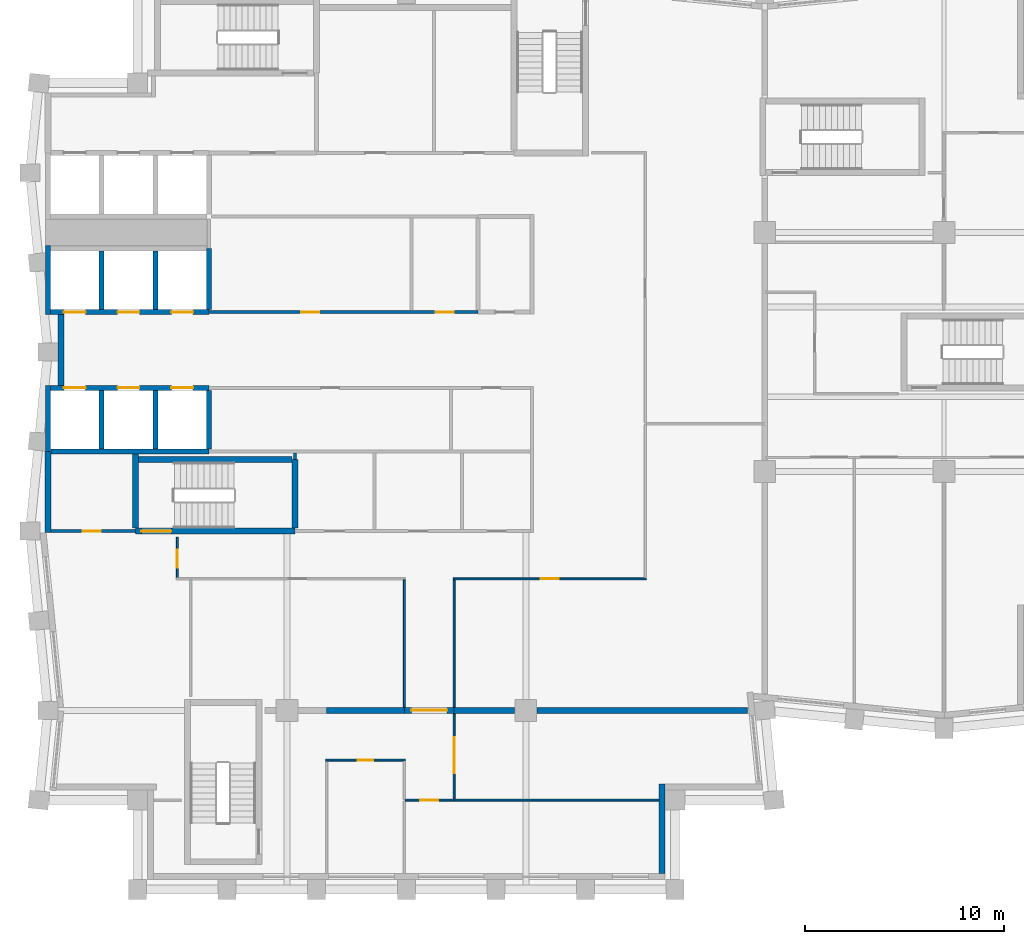
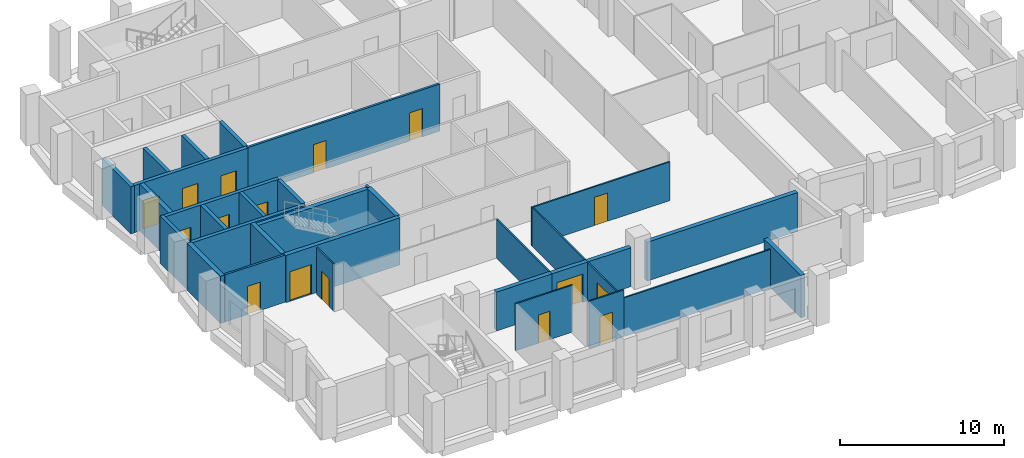
# One storey, part 3 of 8: 33 walls, 16 doors, 16 openings.
"""IFC4 building model written with IfcOpenShell, lengths in metres."""

import ifcopenshell
import ifcopenshell.guid

model = None  # the IFC model being written
_history = None  # IfcOwnerHistory: only IFC2X3 demands one
_inside = {}  # id of a spatial element -> (the spatial element, [elements in it])
_under = {}  # id of a project, library or spatial element -> (it, [spatial elements below it])
_declared = {}  # id of a project -> (the project, [libraries it declares])
_typed = {}  # id of a type object -> (the type object, [elements of that type])
_made_of = {}  # id of a material, layer set ... -> (it, [elements and type objects made of it])


def new_model(schema):
    """Start an empty IFC model of exactly this schema.

    Asked for "IFC4X3", IfcOpenShell would pick the latest addendum, in which some entities
    have other attributes; the version numbers below select the first issue.
    IFC2X3 requires an IfcOwnerHistory on every rooted entity: one is made here for all.
    """
    global model, _history
    if schema == "IFC4X3":
        model = ifcopenshell.file(schema_version=(4, 3, 0, 0))
    else:
        model = ifcopenshell.file(schema=schema)
    _inside.clear()
    _under.clear()
    _declared.clear()
    _typed.clear()
    _made_of.clear()
    _history = None
    if model.schema == "IFC2X3":
        org = make("IfcOrganization", Name="unknown")
        user = make(
            "IfcPersonAndOrganization",
            ThePerson=make("IfcPerson", FamilyName="unknown"),
            TheOrganization=org,
        )
        app = make(
            "IfcApplication",
            ApplicationDeveloper=org,
            Version="unknown",
            ApplicationFullName="unknown",
            ApplicationIdentifier="unknown",
        )
        _history = make(
            "IfcOwnerHistory",
            OwningUser=user,
            OwningApplication=app,
            ChangeAction="ADDED",
            CreationDate=0,
        )
    return model


def make(cls, **values):
    """One entity of the class cls with the attributes given. An attribute that is None is left unset."""
    return model.create_entity(
        cls, **{name: value for name, value in values.items() if value is not None}
    )


def rooted(cls, **values):
    """An entity with a GlobalId (a new one), such as an element, a storey or a relation."""
    return make(cls, GlobalId=ifcopenshell.guid.new(), OwnerHistory=_history, **values)


def si_unit(unit_type, name, prefix=None):
    """IfcSIUnit, for example si_unit("LENGTHUNIT", "METRE", prefix="MILLI")."""
    return make("IfcSIUnit", UnitType=unit_type, Prefix=prefix, Name=name)


def assignment(units):
    """IfcUnitAssignment: the units of a project."""
    return None if units is None else make("IfcUnitAssignment", Units=units)


def point(xyz):
    """IfcCartesianPoint."""
    return None if xyz is None else make("IfcCartesianPoint", Coordinates=xyz)


def direction(xyz):
    """IfcDirection."""
    return None if xyz is None else make("IfcDirection", DirectionRatios=xyz)


def frame(location, z_axis=None, x_axis=None):
    """IfcAxis2Placement3D, a coordinate frame: its origin and axes. An axis left out is left unset."""
    return make(
        "IfcAxis2Placement3D",
        Location=point(location),
        Axis=direction(z_axis),
        RefDirection=direction(x_axis),
    )


def frame_2d(location, x_axis=None):
    """IfcAxis2Placement2D, a coordinate frame in the plane: its origin and x axis."""
    return make(
        "IfcAxis2Placement2D", Location=point(location), RefDirection=direction(x_axis)
    )


def origin():
    """The frame at (0, 0, 0) with its axes left unset."""
    return frame((0.0, 0.0, 0.0))


def place(relative_to, where):
    """IfcLocalPlacement: puts the frame where relative to a parent placement (None: the world)."""
    return make(
        "IfcLocalPlacement", PlacementRelTo=relative_to, RelativePlacement=where
    )


def context(
    kind, dimensions, precision=None, world=None, true_north=None, identifier=None
):
    """IfcGeometricRepresentationContext, for example the 3D "Model" context."""
    return make(
        "IfcGeometricRepresentationContext",
        ContextIdentifier=identifier,
        ContextType=kind,
        CoordinateSpaceDimension=dimensions,
        Precision=precision,
        WorldCoordinateSystem=world,
        TrueNorth=true_north,
    )


def subcontext(parent, identifier, kind, view, scale=None):
    """IfcGeometricRepresentationSubContext, for example "Body" below "Model"."""
    return make(
        "IfcGeometricRepresentationSubContext",
        ContextIdentifier=identifier,
        ContextType=kind,
        ParentContext=parent,
        TargetScale=scale,
        TargetView=view,
    )


def project(units=None, contexts=None):
    """IfcProject with its units and contexts."""
    return rooted(
        "IfcProject",
        Name="project",
        RepresentationContexts=contexts,
        UnitsInContext=assignment(units),
    )


def spatial(cls, under=None, at=None, **own):
    """A site, building, storey or space (cls), placed at a placement, below another one or the project."""
    s = rooted(cls, ObjectPlacement=at, **own)
    if under is not None:
        _under.setdefault(under.id(), (under, []))[1].append(s)
    return s


def profile(cls, at=None, kind="AREA", **sizes):
    """A parametric profile (cls). Its sizes go by their IFC names, for example OverallWidth=200.0."""
    return make(cls, ProfileType=kind, Position=at, **sizes)


def rectangle(**sizes):
    """IfcRectangleProfileDef."""
    return profile("IfcRectangleProfileDef", **sizes)


def extrude(swept, where, along, depth):
    """IfcExtrudedAreaSolid: the profile swept, set in the frame where, extruded along a direction by depth."""
    return make(
        "IfcExtrudedAreaSolid",
        SweptArea=swept,
        Position=where,
        ExtrudedDirection=direction(along),
        Depth=depth,
    )


def shape(context_of_items, identifier, shape_type, items):
    """IfcShapeRepresentation: the items that make up one representation, for example the "Body"."""
    return make(
        "IfcShapeRepresentation",
        ContextOfItems=context_of_items,
        RepresentationIdentifier=identifier,
        RepresentationType=shape_type,
        Items=items,
    )


def material(Name=None, Category=None):
    """IfcMaterial."""
    return make("IfcMaterial", Name=Name, Category=Category)


def layer(
    of_material, thickness, ventilated=None, Name=None, Category=None, Priority=None
):
    """IfcMaterialLayer: one layer of a wall or slab, of a material (None: an air gap)."""
    return make(
        "IfcMaterialLayer",
        Material=of_material,
        LayerThickness=thickness,
        IsVentilated=ventilated,
        Name=Name,
        Category=Category,
        Priority=Priority,
    )


def layer_set(layers, Name=None):
    """IfcMaterialLayerSet."""
    return make("IfcMaterialLayerSet", MaterialLayers=layers, LayerSetName=Name)


def made_of(thing, what):
    """Note that an element or type object is made of a material, layer set ...; save() writes the relation."""
    if what is not None:
        _made_of.setdefault(what.id(), (what, []))[1].append(thing)
    return thing


def type_object(cls, material=None, **own):
    """A type object (cls), such as IfcWallType, which elements share."""
    return made_of(rooted(cls, **own), material)


def element(
    cls,
    number,
    at=None,
    inside=None,
    cuts=None,
    type_object=None,
    material=None,
    context=None,
    identifier="Body",
    shape_type=None,
    held_by="IfcProductDefinitionShape",
    body=None,
    shapes=None,
    **own,
):
    """One element of the class cls, such as IfcWall. Its Tag is "e" and its number.

    at: its placement. inside: the storey or other place that contains it. cuts: it is an
    opening in that element (IfcRelVoidsElement). A single representation is given by context,
    identifier, shape_type and body (its items); several are given by shapes. held_by: the class
    of the entity that holds the representations. save() writes the other relations.
    """
    e = rooted(cls, Tag="e%d" % number, ObjectPlacement=at, **own)
    if body is not None:
        shapes = [shape(context, identifier, shape_type, body)]
    if shapes is not None:
        e.Representation = make(held_by, Representations=shapes)
    if inside is not None:
        _inside.setdefault(inside.id(), (inside, []))[1].append(e)
    if cuts is not None:
        rooted(
            "IfcRelVoidsElement", RelatingBuildingElement=cuts, RelatedOpeningElement=e
        )
    if type_object is not None:
        _typed.setdefault(type_object.id(), (type_object, []))[1].append(e)
    return made_of(e, material)


def fill(opening, filler):
    """IfcRelFillsElement: the door or window that sits in an opening."""
    return rooted(
        "IfcRelFillsElement",
        RelatingOpeningElement=opening,
        RelatedBuildingElement=filler,
    )


def aggregate(whole, parts):
    """IfcRelAggregates: a whole, such as a stair, and the parts it consists of."""
    return rooted("IfcRelAggregates", RelatingObject=whole, RelatedObjects=parts)


def save(model, path):
    """Write the relations noted so far, then the file.

    IfcRelAggregates (storeys below a building ...), IfcRelContainedInSpatialStructure (elements
    in a storey), IfcRelDefinesByType, IfcRelAssociatesMaterial and IfcRelDeclares: one each for
    every whole, place, type object, material and project.
    """
    for whole, parts in _under.values():
        aggregate(whole, parts)
    for where, things in _inside.values():
        rooted(
            "IfcRelContainedInSpatialStructure",
            RelatedElements=things,
            RelatingStructure=where,
        )
    for kind, things in _typed.values():
        rooted("IfcRelDefinesByType", RelatedObjects=things, RelatingType=kind)
    for what, things in _made_of.values():
        rooted("IfcRelAssociatesMaterial", RelatedObjects=things, RelatingMaterial=what)
    for by, libraries in _declared.values():
        rooted("IfcRelDeclares", RelatingContext=by, RelatedDefinitions=libraries)
    model.write(path)


model = new_model("IFC4")

# Units and contexts
model_context = context("Model", 3, precision=1e-05, world=origin(), true_north=direction((0.0, 1.0)))
body_context = subcontext(model_context, "Body", "Model", "MODEL_VIEW")
ifc_project = project(units=[si_unit("LENGTHUNIT", "METRE"), si_unit("AREAUNIT", "SQUARE_METRE"), si_unit("VOLUMEUNIT", "CUBIC_METRE"), si_unit("PLANEANGLEUNIT", "RADIAN"), si_unit("MASSUNIT", "GRAM", prefix="KILO")], contexts=[model_context])

# Site, building, storey
site_placement = place(None, origin())
site = spatial("IfcSite", under=ifc_project, at=site_placement, CompositionType="ELEMENT")
building_placement = place(site_placement, origin())
building = spatial("IfcBuilding", under=site, at=building_placement, Name="Brondeck Convention Tower", CompositionType="ELEMENT")
storey_placement = place(building_placement, frame((0.0, 0.0, 214.0)))
storey = spatial("IfcBuildingStorey", under=building, at=storey_placement, Name="L52", CompositionType="ELEMENT", Elevation=214.0)

# Wall
ifc_material_1 = material(Name="Concrete compartment wall C30/37", Category="concrete")
ifc_layer_1 = layer(ifc_material_1, 0.300048828125)
ifc_layer_set_1 = layer_set([ifc_layer_1], Name="Compartment wall 300")
wall_type_1 = type_object("IfcWallType", Name="Compartment wall 300", PredefinedType="PARTITIONING", material=ifc_layer_set_1)
wall_1_placement = place(storey_placement, frame((14.0, 27.0, 0.0), z_axis=(0.0, 0.0, 1.0), x_axis=(1.0, 0.0, 0.0)))
element("IfcWall", 1, at=wall_1_placement, inside=storey, type_object=wall_type_1, Name="FLR-L52-W015", PredefinedType="PARTITIONING", context=body_context, shape_type="SweptSolid", body=[
    extrude(rectangle(XDim=3.89990234375, YDim=0.300048828125, at=frame_2d((1.949951171875, 0.0))), origin(), (0.0, 0.0, 1.0), 2.8798828125),
])

# Wall, opening, door
wall_2_placement = place(storey_placement, frame((20.39990234375, 27.0, 0.0), z_axis=(0.0, 0.0, 1.0), x_axis=(-1.0, 0.0, 0.0)))
wall_2 = element("IfcWall", 2, at=wall_2_placement, inside=storey, type_object=wall_type_1, Name="FLR-L52-W016", PredefinedType="PARTITIONING", context=body_context, shape_type="SweptSolid", body=[
    extrude(rectangle(XDim=2.5, YDim=0.300048828125, at=frame_2d((1.25, 0.0))), origin(), (0.0, 0.0, 1.0), 2.8798828125),
])
opening_1_placement = place(wall_2_placement, frame((0.35009765625, 0.0, 0.0)))
opening_1 = element("IfcOpeningElement", 3, at=opening_1_placement, cuts=wall_2, Name="Opening OF-L-015", PredefinedType="OPENING", context=body_context, shape_type="SweptSolid", body=[
    extrude(rectangle(XDim=1.800048828125, YDim=2.10009765625, at=frame_2d((0.89990234375, 1.050048828125))), frame((0.0, 0.159912109375, 0.0), z_axis=(0.0, -1.0, 0.0), x_axis=(1.0, 0.0, 0.0)), (0.0, 0.0, 1.0), 0.320068359375),
])
ifc_material_2 = material(Name="Steel fire door pair", Category="steel")
door_type_1 = type_object("IfcDoorType", Name="Fire door pair 1800", OperationType="DOUBLE_DOOR_SINGLE_SWING", PredefinedType="DOOR", material=ifc_material_2)
door_1_placement = place(opening_1_placement, origin())
door_1 = element("IfcDoor", 4, at=door_1_placement, inside=storey, type_object=door_type_1, Name="Door OF-L-015", OperationType="DOUBLE_DOOR_SINGLE_SWING", OverallHeight=2.10009765625, OverallWidth=1.800048828125, PredefinedType="DOOR", context=body_context, shape_type="SweptSolid", body=[
    extrude(rectangle(XDim=1.800048828125, YDim=2.10009765625, at=frame_2d((0.89990234375, 1.050048828125))), frame((0.0, 0.02490234375, 0.0), z_axis=(0.0, -1.0, 0.0), x_axis=(1.0, 0.0, 0.0)), (0.0, 0.0, 1.0), 0.050048828125),
])
fill(opening_1, door_1)

# Walls
wall_3_placement = place(storey_placement, frame((20.39990234375, 27.0, 0.0), z_axis=(0.0, 0.0, 1.0), x_axis=(1.0, 0.0, 0.0)))
element("IfcWall", 5, at=wall_3_placement, inside=storey, type_object=wall_type_1, Name="FLR-L52-W017", PredefinedType="PARTITIONING", context=body_context, shape_type="SweptSolid", body=[
    extrude(rectangle(XDim=3.045166015625, YDim=0.300048828125, at=frame_2d((1.5224609375, 0.0))), origin(), (0.0, 0.0, 1.0), 2.8798828125),
])
wall_4_placement = place(storey_placement, frame((24.554931640625, 27.0, 0.0), z_axis=(0.0, 0.0, 1.0), x_axis=(1.0, 0.0, 0.0)))
element("IfcWall", 6, at=wall_4_placement, inside=storey, type_object=wall_type_1, Name="FLR-L52-W018", PredefinedType="PARTITIONING", context=body_context, shape_type="SweptSolid", body=[
    extrude(rectangle(XDim=10.591064453125, YDim=0.300048828125, at=frame_2d((5.29541015625, 0.0))), origin(), (0.0, 0.0, 1.0), 2.8798828125),
])
ifc_material_3 = material(Name="Concrete C50/60", Category="concrete")
ifc_layer_2 = layer(ifc_material_3, 0.300048828125)
ifc_layer_set_2 = layer_set([ifc_layer_2], Name="Core outer wall 300 Concrete C50/60")
wall_type_2 = type_object("IfcWallType", Name="Core outer wall 300 Concrete C50/60", PredefinedType="SHEAR", material=ifc_layer_set_2)
wall_5_placement = place(storey_placement, frame((0.0, 35.925048828125, 0.0), z_axis=(0.0, 0.0, 1.0), x_axis=(0.0, 1.0, 0.0)))
element("IfcWall", 7, at=wall_5_placement, inside=storey, type_object=wall_type_2, Name="L52 core wall", PredefinedType="SHEAR", context=body_context, shape_type="SweptSolid", body=[
    extrude(rectangle(XDim=4.074951171875, YDim=0.300048828125, at=frame_2d((2.03759765625, 0.0))), origin(), (0.0, 0.0, 1.0), 3.5),
])
wall_6_placement = place(storey_placement, frame((0.64990234375, 43.324951171875, 0.0), z_axis=(0.0, 0.0, 1.0), x_axis=(0.0, 1.0, 0.0)))
element("IfcWall", 8, at=wall_6_placement, inside=storey, type_object=wall_type_2, Name="L52 core wall", PredefinedType="SHEAR", context=body_context, shape_type="SweptSolid", body=[
    extrude(rectangle(XDim=3.550048828125, YDim=0.300048828125, at=frame_2d((1.77490234375, 0.0))), origin(), (0.0, 0.0, 1.0), 3.5),
])

# Wall, opening, door
ifc_material_4 = material(Name="Fire-rated gypsum board partition")
ifc_layer_3 = layer(ifc_material_4, 0.14990234375)
ifc_layer_set_3 = layer_set([ifc_layer_3], Name="Core partition 150 EI 60")
wall_type_3 = type_object("IfcWallType", Name="Core partition 150 EI 60", PredefinedType="PARTITIONING", material=ifc_layer_set_3)
wall_7_placement = place(storey_placement, frame((0.14990234375, 36.0, 0.0), z_axis=(0.0, 0.0, 1.0), x_axis=(1.0, 0.0, 0.0)))
wall_7 = element("IfcWall", 9, at=wall_7_placement, inside=storey, type_object=wall_type_3, Name="L52 core wall", PredefinedType="PARTITIONING", context=body_context, shape_type="SweptSolid", body=[
    extrude(rectangle(XDim=4.25, YDim=0.14990234375, at=frame_2d((2.125, 0.0))), origin(), (0.0, 0.0, 1.0), 3.5),
])
opening_2_placement = place(wall_7_placement, frame((1.60009765625, 0.0, 0.0)))
opening_2 = element("IfcOpeningElement", 10, at=opening_2_placement, cuts=wall_7, Name="Opening C29-06", PredefinedType="OPENING", context=body_context, shape_type="SweptSolid", body=[
    extrude(rectangle(XDim=0.89990234375, YDim=2.10009765625, at=frame_2d((0.449951171875, 1.050048828125))), frame((0.0, 0.0849609375, 0.0), z_axis=(0.0, -1.0, 0.0), x_axis=(1.0, 0.0, 0.0)), (0.0, 0.0, 1.0), 0.169921875),
])
ifc_material_5 = material(Name="Steel fire door", Category="steel")
door_type_2 = type_object("IfcDoorType", Name="Room door 900x2100 EI 60", OperationType="NOTDEFINED", PredefinedType="DOOR", material=ifc_material_5)
door_2_placement = place(opening_2_placement, origin())
door_2 = element("IfcDoor", 11, at=door_2_placement, inside=storey, type_object=door_type_2, Name="L52 Room door FRW-1", OperationType="SINGLE_SWING_LEFT", OverallHeight=2.10009765625, OverallWidth=0.89990234375, PredefinedType="DOOR", context=body_context, shape_type="SweptSolid", body=[
    extrude(rectangle(XDim=0.89990234375, YDim=2.10009765625, at=frame_2d((0.449951171875, 1.050048828125))), frame((0.0, 0.02490234375, 0.0), z_axis=(0.0, -1.0, 0.0), x_axis=(1.0, 0.0, 0.0)), (0.0, 0.0, 1.0), 0.050048828125),
])
fill(opening_2, door_2)

# Wall, openings, doors
wall_8_placement = place(storey_placement, frame((8.10009765625, 47.0, 0.0), z_axis=(0.0, 0.0, 1.0), x_axis=(1.0, 0.0, 0.0)))
wall_8 = element("IfcWall", 12, at=wall_8_placement, inside=storey, type_object=wall_type_3, Name="L52 core wall", PredefinedType="PARTITIONING", context=body_context, shape_type="SweptSolid", body=[
    extrude(rectangle(XDim=13.5, YDim=0.14990234375, at=frame_2d((6.75, 0.0))), origin(), (0.0, 0.0, 1.0), 3.5),
])
opening_3_placement = place(wall_8_placement, frame((4.625, 0.0, 0.0)))
opening_3 = element("IfcOpeningElement", 13, at=opening_3_placement, cuts=wall_8, Name="Opening C29-07", PredefinedType="OPENING", context=body_context, shape_type="SweptSolid", body=[
    extrude(rectangle(XDim=0.89990234375, YDim=2.10009765625, at=frame_2d((0.449951171875, 1.050048828125))), frame((0.0, 0.0849609375, 0.0), z_axis=(0.0, -1.0, 0.0), x_axis=(1.0, 0.0, 0.0)), (0.0, 0.0, 1.0), 0.169921875),
])
opening_4_placement = place(wall_8_placement, frame((11.375, 0.0, 0.0)))
opening_4 = element("IfcOpeningElement", 14, at=opening_4_placement, cuts=wall_8, Name="Opening C29-08", PredefinedType="OPENING", context=body_context, shape_type="SweptSolid", body=[
    extrude(rectangle(XDim=0.89990234375, YDim=2.10009765625, at=frame_2d((0.449951171875, 1.050048828125))), frame((0.0, 0.0849609375, 0.0), z_axis=(0.0, -1.0, 0.0), x_axis=(1.0, 0.0, 0.0)), (0.0, 0.0, 1.0), 0.169921875),
])
door_3_placement = place(opening_3_placement, origin())
door_3 = element("IfcDoor", 15, at=door_3_placement, inside=storey, type_object=door_type_2, Name="L52 Room door FZ-N-8.1-1", OperationType="SINGLE_SWING_LEFT", OverallHeight=2.10009765625, OverallWidth=0.89990234375, PredefinedType="DOOR", context=body_context, shape_type="SweptSolid", body=[
    extrude(rectangle(XDim=0.89990234375, YDim=2.10009765625, at=frame_2d((0.449951171875, 1.050048828125))), frame((0.0, 0.02490234375, 0.0), z_axis=(0.0, -1.0, 0.0), x_axis=(1.0, 0.0, 0.0)), (0.0, 0.0, 1.0), 0.050048828125),
])
fill(opening_3, door_3)
door_4_placement = place(opening_4_placement, origin())
door_4 = element("IfcDoor", 16, at=door_4_placement, inside=storey, type_object=door_type_2, Name="L52 Room door FZ-N-8.1-2", OperationType="SINGLE_SWING_RIGHT", OverallHeight=2.10009765625, OverallWidth=0.89990234375, PredefinedType="DOOR", context=body_context, shape_type="SweptSolid", body=[
    extrude(rectangle(XDim=0.89990234375, YDim=2.10009765625, at=frame_2d((0.449951171875, 1.050048828125))), frame((0.0, 0.02490234375, 0.0), z_axis=(0.0, -1.0, 0.0), x_axis=(1.0, 0.0, 0.0)), (0.0, 0.0, 1.0), 0.050048828125),
])
fill(opening_4, door_4)

# Walls
wall_9_placement = place(storey_placement, frame((12.39990234375, 39.60009765625, 0.0), z_axis=(0.0, 0.0, 1.0), x_axis=(0.0, 1.0, 0.0)))
element("IfcWall", 17, at=wall_9_placement, inside=storey, type_object=wall_type_3, Name="L52 core wall", PredefinedType="PARTITIONING", context=body_context, shape_type="SweptSolid", body=[
    extrude(rectangle(XDim=0.324951171875, YDim=0.14990234375, at=frame_2d((0.16259765625, 0.0))), origin(), (0.0, 0.0, 1.0), 3.5),
])
ifc_material_6 = material(Name="Precast concrete C50/60 bronze finish", Category="concrete")
ifc_layer_4 = layer(ifc_material_6, 0.070068359375, Name="Bronze precast facing")
ifc_material_7 = material(Name="Mineral wool")
ifc_layer_5 = layer(ifc_material_7, 0.159912109375, Name="Insulation")
ifc_material_8 = material(Name="Concrete C35/45", Category="concrete")
ifc_layer_6 = layer(ifc_material_8, 0.070068359375, Name="Backing")
ifc_layer_set_4 = layer_set([ifc_layer_4, ifc_layer_5, ifc_layer_6], Name="External infill wall, precast concrete C50/60 bronze facing")
wall_type_4 = type_object("IfcWallType", Name="External infill wall, precast concrete C50/60 bronze facing", PredefinedType="SOLIDWALL", material=ifc_layer_set_4)
wall_10_placement = place(storey_placement, frame((30.85009765625, 23.300048828125, 0.0), z_axis=(0.0, 0.0, 1.0), x_axis=(0.0, -1.0, 0.0)))
element("IfcWall", 18, at=wall_10_placement, inside=storey, type_object=wall_type_4, Name="ENV-EW-L52-P2-NC-SEB18-01", PredefinedType="SOLIDWALL", context=body_context, shape_type="SweptSolid", body=[
    extrude(rectangle(XDim=4.5, YDim=0.300048828125, at=frame_2d((2.25, 0.0))), origin(), (0.0, 0.0, 1.0), 3.14990234375),
])
ifc_layer_7 = layer(ifc_material_3, 0.25)
ifc_layer_set_5 = layer_set([ifc_layer_7], Name="Lift shaft wall 250 Concrete C50/60")
wall_type_5 = type_object("IfcWallType", Name="Lift shaft wall 250 Concrete C50/60", PredefinedType="SHEAR", material=ifc_layer_set_5)
wall_11_placement = place(storey_placement, frame((0.14990234375, 40.0, 0.0), z_axis=(0.0, 0.0, 1.0), x_axis=(1.0, 0.0, 0.0)))
element("IfcWall", 19, at=wall_11_placement, inside=storey, type_object=wall_type_5, Name="L52 core wall", PredefinedType="SHEAR", context=body_context, shape_type="SweptSolid", body=[
    extrude(rectangle(XDim=7.9501953125, YDim=0.25, at=frame_2d((3.97509765625, 0.0))), origin(), (0.0, 0.0, 1.0), 3.5),
])

# Wall, openings, doors
wall_12_placement = place(storey_placement, frame((0.125, 43.199951171875, 0.0), z_axis=(0.0, 0.0, 1.0), x_axis=(1.0, 0.0, 0.0)))
wall_12 = element("IfcWall", 20, at=wall_12_placement, inside=storey, type_object=wall_type_5, Name="L52 core wall", PredefinedType="SHEAR", context=body_context, shape_type="SweptSolid", body=[
    extrude(rectangle(XDim=7.97509765625, YDim=0.25, at=frame_2d((3.987548828125, 0.0))), origin(), (0.0, 0.0, 1.0), 3.5),
])
opening_5_placement = place(wall_12_placement, frame((0.675048828125, 0.0, 0.0)))
opening_5 = element("IfcOpeningElement", 21, at=opening_5_placement, cuts=wall_12, Name="Opening C29-22", PredefinedType="OPENING", context=body_context, shape_type="SweptSolid", body=[
    extrude(rectangle(XDim=1.10009765625, YDim=2.10009765625, at=frame_2d((0.550048828125, 1.050048828125))), frame((0.0, 0.135009765625, 0.0), z_axis=(0.0, -1.0, 0.0), x_axis=(1.0, 0.0, 0.0)), (0.0, 0.0, 1.0), 0.27001953125),
])
opening_6_placement = place(wall_12_placement, frame((3.375, 0.0, 0.0)))
opening_6 = element("IfcOpeningElement", 22, at=opening_6_placement, cuts=wall_12, Name="Opening C29-23", PredefinedType="OPENING", context=body_context, shape_type="SweptSolid", body=[
    extrude(rectangle(XDim=1.10009765625, YDim=2.10009765625, at=frame_2d((0.550048828125, 1.050048828125))), frame((0.0, 0.135009765625, 0.0), z_axis=(0.0, -1.0, 0.0), x_axis=(1.0, 0.0, 0.0)), (0.0, 0.0, 1.0), 0.27001953125),
])
opening_7_placement = place(wall_12_placement, frame((6.074951171875, 0.0, 0.0)))
opening_7 = element("IfcOpeningElement", 23, at=opening_7_placement, cuts=wall_12, Name="Opening C29-24", PredefinedType="OPENING", context=body_context, shape_type="SweptSolid", body=[
    extrude(rectangle(XDim=1.10009765625, YDim=2.10009765625, at=frame_2d((0.550048828125, 1.050048828125))), frame((0.0, 0.135009765625, 0.0), z_axis=(0.0, -1.0, 0.0), x_axis=(1.0, 0.0, 0.0)), (0.0, 0.0, 1.0), 0.27001953125),
])
ifc_material_9 = material(Name="Stainless steel lift door", Category="steel")
door_type_3 = type_object("IfcDoorType", Name="Lift landing door 1100x2100 EI 180", OperationType="DOUBLE_DOOR_SLIDING", PredefinedType="DOOR", material=ifc_material_9)
door_5_placement = place(opening_5_placement, origin())
door_5 = element("IfcDoor", 24, at=door_5_placement, inside=storey, type_object=door_type_3, Name="L52 Lift landing door HR1", OperationType="DOUBLE_DOOR_SLIDING", OverallHeight=2.10009765625, OverallWidth=1.10009765625, PredefinedType="DOOR", context=body_context, shape_type="SweptSolid", body=[
    extrude(rectangle(XDim=1.10009765625, YDim=2.10009765625, at=frame_2d((0.550048828125, 1.050048828125))), frame((0.0, 0.02490234375, 0.0), z_axis=(0.0, -1.0, 0.0), x_axis=(1.0, 0.0, 0.0)), (0.0, 0.0, 1.0), 0.050048828125),
])
fill(opening_5, door_5)
door_6_placement = place(opening_6_placement, origin())
door_6 = element("IfcDoor", 25, at=door_6_placement, inside=storey, type_object=door_type_3, Name="L52 Lift landing door HR2", OperationType="DOUBLE_DOOR_SLIDING", OverallHeight=2.10009765625, OverallWidth=1.10009765625, PredefinedType="DOOR", context=body_context, shape_type="SweptSolid", body=[
    extrude(rectangle(XDim=1.10009765625, YDim=2.10009765625, at=frame_2d((0.550048828125, 1.050048828125))), frame((0.0, 0.02490234375, 0.0), z_axis=(0.0, -1.0, 0.0), x_axis=(1.0, 0.0, 0.0)), (0.0, 0.0, 1.0), 0.050048828125),
])
fill(opening_6, door_6)
door_7_placement = place(opening_7_placement, origin())
door_7 = element("IfcDoor", 26, at=door_7_placement, inside=storey, type_object=door_type_3, Name="L52 Lift landing door HR3", OperationType="DOUBLE_DOOR_SLIDING", OverallHeight=2.10009765625, OverallWidth=1.10009765625, PredefinedType="DOOR", context=body_context, shape_type="SweptSolid", body=[
    extrude(rectangle(XDim=1.10009765625, YDim=2.10009765625, at=frame_2d((0.550048828125, 1.050048828125))), frame((0.0, 0.02490234375, 0.0), z_axis=(0.0, -1.0, 0.0), x_axis=(1.0, 0.0, 0.0)), (0.0, 0.0, 1.0), 0.050048828125),
])
fill(opening_7, door_7)

wall_13_placement = place(storey_placement, frame((0.125, 47.0, 0.0), z_axis=(0.0, 0.0, 1.0), x_axis=(1.0, 0.0, 0.0)))
wall_13 = element("IfcWall", 27, at=wall_13_placement, inside=storey, type_object=wall_type_5, Name="L52 core wall", PredefinedType="SHEAR", context=body_context, shape_type="SweptSolid", body=[
    extrude(rectangle(XDim=7.97509765625, YDim=0.25, at=frame_2d((3.987548828125, 0.0))), origin(), (0.0, 0.0, 1.0), 3.5),
])
opening_8_placement = place(wall_13_placement, frame((0.675048828125, 0.0, 0.0)))
opening_8 = element("IfcOpeningElement", 28, at=opening_8_placement, cuts=wall_13, Name="Opening C29-25", PredefinedType="OPENING", context=body_context, shape_type="SweptSolid", body=[
    extrude(rectangle(XDim=1.10009765625, YDim=2.10009765625, at=frame_2d((0.550048828125, 1.050048828125))), frame((0.0, 0.135009765625, 0.0), z_axis=(0.0, -1.0, 0.0), x_axis=(1.0, 0.0, 0.0)), (0.0, 0.0, 1.0), 0.27001953125),
])
opening_9_placement = place(wall_13_placement, frame((3.375, 0.0, 0.0)))
opening_9 = element("IfcOpeningElement", 29, at=opening_9_placement, cuts=wall_13, Name="Opening C29-26", PredefinedType="OPENING", context=body_context, shape_type="SweptSolid", body=[
    extrude(rectangle(XDim=1.10009765625, YDim=2.10009765625, at=frame_2d((0.550048828125, 1.050048828125))), frame((0.0, 0.135009765625, 0.0), z_axis=(0.0, -1.0, 0.0), x_axis=(1.0, 0.0, 0.0)), (0.0, 0.0, 1.0), 0.27001953125),
])
opening_10_placement = place(wall_13_placement, frame((6.074951171875, 0.0, 0.0)))
opening_10 = element("IfcOpeningElement", 30, at=opening_10_placement, cuts=wall_13, Name="Opening C29-27", PredefinedType="OPENING", context=body_context, shape_type="SweptSolid", body=[
    extrude(rectangle(XDim=1.10009765625, YDim=2.10009765625, at=frame_2d((0.550048828125, 1.050048828125))), frame((0.0, 0.135009765625, 0.0), z_axis=(0.0, -1.0, 0.0), x_axis=(1.0, 0.0, 0.0)), (0.0, 0.0, 1.0), 0.27001953125),
])
door_8_placement = place(opening_8_placement, origin())
door_8 = element("IfcDoor", 31, at=door_8_placement, inside=storey, type_object=door_type_3, Name="L52 Lift landing door HR4", OperationType="DOUBLE_DOOR_SLIDING", OverallHeight=2.10009765625, OverallWidth=1.10009765625, PredefinedType="DOOR", context=body_context, shape_type="SweptSolid", body=[
    extrude(rectangle(XDim=1.10009765625, YDim=2.10009765625, at=frame_2d((0.550048828125, 1.050048828125))), frame((0.0, 0.02490234375, 0.0), z_axis=(0.0, -1.0, 0.0), x_axis=(1.0, 0.0, 0.0)), (0.0, 0.0, 1.0), 0.050048828125),
])
fill(opening_8, door_8)
door_9_placement = place(opening_9_placement, origin())
door_9 = element("IfcDoor", 32, at=door_9_placement, inside=storey, type_object=door_type_3, Name="L52 Lift landing door HR5", OperationType="DOUBLE_DOOR_SLIDING", OverallHeight=2.10009765625, OverallWidth=1.10009765625, PredefinedType="DOOR", context=body_context, shape_type="SweptSolid", body=[
    extrude(rectangle(XDim=1.10009765625, YDim=2.10009765625, at=frame_2d((0.550048828125, 1.050048828125))), frame((0.0, 0.02490234375, 0.0), z_axis=(0.0, -1.0, 0.0), x_axis=(1.0, 0.0, 0.0)), (0.0, 0.0, 1.0), 0.050048828125),
])
fill(opening_9, door_9)
door_10_placement = place(opening_10_placement, origin())
door_10 = element("IfcDoor", 33, at=door_10_placement, inside=storey, type_object=door_type_3, Name="L52 Lift landing door HR6", OperationType="DOUBLE_DOOR_SLIDING", OverallHeight=2.10009765625, OverallWidth=1.10009765625, PredefinedType="DOOR", context=body_context, shape_type="SweptSolid", body=[
    extrude(rectangle(XDim=1.10009765625, YDim=2.10009765625, at=frame_2d((0.550048828125, 1.050048828125))), frame((0.0, 0.02490234375, 0.0), z_axis=(0.0, -1.0, 0.0), x_axis=(1.0, 0.0, 0.0)), (0.0, 0.0, 1.0), 0.050048828125),
])
fill(opening_10, door_10)

# Walls
wall_14_placement = place(storey_placement, frame((0.0, 40.0, 0.0), z_axis=(0.0, 0.0, 1.0), x_axis=(0.0, 1.0, 0.0)))
element("IfcWall", 34, at=wall_14_placement, inside=storey, type_object=wall_type_5, Name="L52 core wall", PredefinedType="SHEAR", context=body_context, shape_type="SweptSolid", body=[
    extrude(rectangle(XDim=3.324951171875, YDim=0.25, at=frame_2d((1.66259765625, 0.0))), origin(), (0.0, 0.0, 1.0), 3.5),
])
wall_15_placement = place(storey_placement, frame((0.0, 46.875, 0.0), z_axis=(0.0, 0.0, 1.0), x_axis=(0.0, 1.0, 0.0)))
element("IfcWall", 35, at=wall_15_placement, inside=storey, type_object=wall_type_5, Name="L52 core wall", PredefinedType="SHEAR", context=body_context, shape_type="SweptSolid", body=[
    extrude(rectangle(XDim=3.47509765625, YDim=0.25, at=frame_2d((1.737548828125, 0.0))), origin(), (0.0, 0.0, 1.0), 3.5),
])
for number, where, z_axis, x_axis, name in (
    (36, (2.699951171875, 40.125, 0.0), (0.0, 0.0, 1.0), (0.0, 1.0, 0.0), "L52 core wall"),
    (37, (2.699951171875, 47.125, 0.0), (0.0, 0.0, 1.0), (0.0, 1.0, 0.0), "L52 core wall"),
    (38, (5.39990234375, 40.125, 0.0), (0.0, 0.0, 1.0), (0.0, 1.0, 0.0), "L52 core wall"),
    (39, (5.39990234375, 47.125, 0.0), (0.0, 0.0, 1.0), (0.0, 1.0, 0.0), "L52 core wall"),
    (40, (8.10009765625, 40.125, 0.0), (0.0, 0.0, 1.0), (0.0, 1.0, 0.0), "L52 core wall"),
):
    element("IfcWall", number, at=place(storey_placement, frame(where, z_axis=z_axis, x_axis=x_axis)), inside=storey, type_object=wall_type_5, Name=name, PredefinedType="SHEAR", context=body_context, shape_type="SweptSolid", body=[
        extrude(rectangle(XDim=2.949951171875, YDim=0.25, at=frame_2d((1.47509765625, 0.0))), origin(), (0.0, 0.0, 1.0), 3.5),
    ])
wall_16_placement = place(storey_placement, frame((8.10009765625, 47.125, 0.0), z_axis=(0.0, 0.0, 1.0), x_axis=(0.0, 1.0, 0.0)))
element("IfcWall", 41, at=wall_16_placement, inside=storey, type_object=wall_type_5, Name="L52 core wall", PredefinedType="SHEAR", context=body_context, shape_type="SweptSolid", body=[
    extrude(rectangle(XDim=3.074951171875, YDim=0.25, at=frame_2d((1.53759765625, 0.0))), origin(), (0.0, 0.0, 1.0), 3.5),
])

# Wall, opening, door
ifc_material_10 = material(Name="Gypsum board partition on steel studs", Category="steel")
ifc_layer_8 = layer(ifc_material_10, 0.10009765625)
ifc_layer_set_6 = layer_set([ifc_layer_8], Name="Room partition 100")
wall_type_6 = type_object("IfcWallType", Name="Room partition 100", PredefinedType="PARTITIONING", material=ifc_layer_set_6)
wall_17_placement = place(storey_placement, frame((20.39990234375, 22.5, 0.0), z_axis=(0.0, 0.0, 1.0), x_axis=(-1.0, 0.0, 0.0)))
wall_17 = element("IfcWall", 42, at=wall_17_placement, inside=storey, type_object=wall_type_6, Name="FLR-L52-W003", PredefinedType="PARTITIONING", context=body_context, shape_type="SweptSolid", body=[
    extrude(rectangle(XDim=2.449951171875, YDim=0.10009765625, at=frame_2d((1.22509765625, 0.0))), origin(), (0.0, 0.0, 1.0), 3.47998046875),
])
opening_11_placement = place(wall_17_placement, frame((0.800048828125, 0.0, 0.0)))
opening_11 = element("IfcOpeningElement", 43, at=opening_11_placement, cuts=wall_17, Name="Opening OF-L-009", PredefinedType="OPENING", context=body_context, shape_type="SweptSolid", body=[
    extrude(rectangle(XDim=0.89990234375, YDim=2.10009765625, at=frame_2d((0.449951171875, 1.050048828125))), frame((0.0, 0.06005859375, 0.0), z_axis=(0.0, -1.0, 0.0), x_axis=(1.0, 0.0, 0.0)), (0.0, 0.0, 1.0), 0.1201171875),
])
ifc_material_11 = material(Name="Solid timber door leaf", Category="wood")
door_type_4 = type_object("IfcDoorType", Name="Single door 900", OperationType="NOTDEFINED", PredefinedType="DOOR", material=ifc_material_11)
door_11_placement = place(opening_11_placement, origin())
door_11 = element("IfcDoor", 44, at=door_11_placement, inside=storey, type_object=door_type_4, Name="Door OF-L-009", OperationType="SINGLE_SWING_LEFT", OverallHeight=2.10009765625, OverallWidth=0.89990234375, PredefinedType="DOOR", context=body_context, shape_type="SweptSolid", body=[
    extrude(rectangle(XDim=0.89990234375, YDim=2.10009765625, at=frame_2d((0.449951171875, 1.050048828125))), frame((0.0, 0.02490234375, 0.0), z_axis=(0.0, -1.0, 0.0), x_axis=(1.0, 0.0, 0.0)), (0.0, 0.0, 1.0), 0.050048828125),
])
fill(opening_11, door_11)

# Wall
wall_18_placement = place(storey_placement, frame((20.39990234375, 22.5, 0.0), z_axis=(0.0, 0.0, 1.0), x_axis=(1.0, 0.0, 0.0)))
element("IfcWall", 45, at=wall_18_placement, inside=storey, type_object=wall_type_6, Name="FLR-L52-W004", PredefinedType="PARTITIONING", context=body_context, shape_type="SweptSolid", body=[
    extrude(rectangle(XDim=10.280029296875, YDim=0.10009765625, at=frame_2d((5.14013671875, 0.0))), origin(), (0.0, 0.0, 1.0), 2.8798828125),
])

# Wall, opening, door
wall_19_placement = place(storey_placement, frame((17.949951171875, 24.5, 0.0), z_axis=(0.0, 0.0, 1.0), x_axis=(-1.0, 0.0, 0.0)))
wall_19 = element("IfcWall", 46, at=wall_19_placement, inside=storey, type_object=wall_type_6, Name="FLR-L52-W010", PredefinedType="PARTITIONING", context=body_context, shape_type="SweptSolid", body=[
    extrude(rectangle(XDim=4.0, YDim=0.10009765625, at=frame_2d((2.0, 0.0))), origin(), (0.0, 0.0, 1.0), 3.47998046875),
])
opening_12_placement = place(wall_19_placement, frame((1.60009765625, 0.0, 0.0)))
opening_12 = element("IfcOpeningElement", 47, at=opening_12_placement, cuts=wall_19, Name="Opening OF-L-002", PredefinedType="OPENING", context=body_context, shape_type="SweptSolid", body=[
    extrude(rectangle(XDim=0.800048828125, YDim=2.10009765625, at=frame_2d((0.39990234375, 1.050048828125))), frame((0.0, 0.06005859375, 0.0), z_axis=(0.0, -1.0, 0.0), x_axis=(1.0, 0.0, 0.0)), (0.0, 0.0, 1.0), 0.1201171875),
])
ifc_material_12 = material(Name="Steel service door leaf", Category="steel")
door_type_5 = type_object("IfcDoorType", Name="Service door 800", OperationType="NOTDEFINED", PredefinedType="DOOR", material=ifc_material_12)
door_12_placement = place(opening_12_placement, origin())
door_12 = element("IfcDoor", 48, at=door_12_placement, inside=storey, type_object=door_type_5, Name="Door OF-L-002", OperationType="SINGLE_SWING_RIGHT", OverallHeight=2.10009765625, OverallWidth=0.800048828125, PredefinedType="DOOR", context=body_context, shape_type="SweptSolid", body=[
    extrude(rectangle(XDim=0.800048828125, YDim=2.10009765625, at=frame_2d((0.39990234375, 1.050048828125))), frame((0.0, 0.02490234375, 0.0), z_axis=(0.0, -1.0, 0.0), x_axis=(1.0, 0.0, 0.0)), (0.0, 0.0, 1.0), 0.050048828125),
])
fill(opening_12, door_12)

wall_20_placement = place(storey_placement, frame((20.39990234375, 26.830078125, 0.0), z_axis=(0.0, 0.0, 1.0), x_axis=(0.0, -1.0, 0.0)))
wall_20 = element("IfcWall", 49, at=wall_20_placement, inside=storey, type_object=wall_type_6, Name="FLR-L52-W011", PredefinedType="PARTITIONING", context=body_context, shape_type="SweptSolid", body=[
    extrude(rectangle(XDim=4.280029296875, YDim=0.10009765625, at=frame_2d((2.14013671875, 0.0))), origin(), (0.0, 0.0, 1.0), 2.8798828125),
])
opening_13_placement = place(wall_20_placement, frame((1.179931640625, 0.0, 0.0)))
opening_13 = element("IfcOpeningElement", 50, at=opening_13_placement, cuts=wall_20, Name="Opening OF-L-010", PredefinedType="OPENING", context=body_context, shape_type="SweptSolid", body=[
    extrude(rectangle(XDim=1.800048828125, YDim=2.10009765625, at=frame_2d((0.89990234375, 1.050048828125))), frame((0.0, 0.06005859375, 0.0), z_axis=(0.0, -1.0, 0.0), x_axis=(1.0, 0.0, 0.0)), (0.0, 0.0, 1.0), 0.1201171875),
])
ifc_material_13 = material(Name="Glazed timber double door", Category="wood")
door_type_6 = type_object("IfcDoorType", Name="Double door 1800", OperationType="DOUBLE_DOOR_SINGLE_SWING", PredefinedType="DOOR", material=ifc_material_13)
door_13_placement = place(opening_13_placement, origin())
door_13 = element("IfcDoor", 51, at=door_13_placement, inside=storey, type_object=door_type_6, Name="Door OF-L-010", OperationType="DOUBLE_DOOR_SINGLE_SWING", OverallHeight=2.10009765625, OverallWidth=1.800048828125, PredefinedType="DOOR", context=body_context, shape_type="SweptSolid", body=[
    extrude(rectangle(XDim=1.800048828125, YDim=2.10009765625, at=frame_2d((0.89990234375, 1.050048828125))), frame((0.0, 0.02490234375, 0.0), z_axis=(0.0, -1.0, 0.0), x_axis=(1.0, 0.0, 0.0)), (0.0, 0.0, 1.0), 0.050048828125),
])
fill(opening_13, door_13)

# Walls
for number, where, z_axis, x_axis, name in (
    (52, (17.89990234375, 27.169921875, 0.0), (0.0, 0.0, 1.0), (0.0, 1.0, 0.0), "FLR-L52-W019"),
    (53, (20.39990234375, 33.550048828125, 0.0), (0.0, 0.0, 1.0), (0.0, -1.0, 0.0), "FLR-L52-W025"),
):
    element("IfcWall", number, at=place(storey_placement, frame(where, z_axis=z_axis, x_axis=x_axis)), inside=storey, type_object=wall_type_6, Name=name, PredefinedType="PARTITIONING", context=body_context, shape_type="SweptSolid", body=[
        extrude(rectangle(XDim=6.380126953125, YDim=0.10009765625, at=frame_2d((3.18994140625, 0.0))), origin(), (0.0, 0.0, 1.0), 2.8798828125),
    ])

# Wall, opening, door
wall_21_placement = place(storey_placement, frame((30.050048828125, 33.60009765625, 0.0), z_axis=(0.0, 0.0, 1.0), x_axis=(-1.0, 0.0, 0.0)))
wall_21 = element("IfcWall", 54, at=wall_21_placement, inside=storey, type_object=wall_type_6, Name="FLR-L52-W028", PredefinedType="PARTITIONING", context=body_context, shape_type="SweptSolid", body=[
    extrude(rectangle(XDim=9.699951171875, YDim=0.10009765625, at=frame_2d((4.85009765625, 0.0))), origin(), (0.0, 0.0, 1.0), 2.8798828125),
])
opening_14_placement = place(wall_21_placement, frame((4.39990234375, 0.0, 0.0)))
opening_14 = element("IfcOpeningElement", 55, at=opening_14_placement, cuts=wall_21, Name="Opening OF-L-013", PredefinedType="OPENING", context=body_context, shape_type="SweptSolid", body=[
    extrude(rectangle(XDim=0.89990234375, YDim=2.10009765625, at=frame_2d((0.449951171875, 1.050048828125))), frame((0.0, 0.06005859375, 0.0), z_axis=(0.0, -1.0, 0.0), x_axis=(1.0, 0.0, 0.0)), (0.0, 0.0, 1.0), 0.1201171875),
])
door_14_placement = place(opening_14_placement, origin())
door_14 = element("IfcDoor", 56, at=door_14_placement, inside=storey, type_object=door_type_4, Name="Door OF-L-013", OperationType="SINGLE_SWING_RIGHT", OverallHeight=2.10009765625, OverallWidth=0.89990234375, PredefinedType="DOOR", context=body_context, shape_type="SweptSolid", body=[
    extrude(rectangle(XDim=0.89990234375, YDim=2.10009765625, at=frame_2d((0.449951171875, 1.050048828125))), frame((0.0, 0.02490234375, 0.0), z_axis=(0.0, -1.0, 0.0), x_axis=(1.0, 0.0, 0.0)), (0.0, 0.0, 1.0), 0.050048828125),
])
fill(opening_14, door_14)

wall_22_placement = place(storey_placement, frame((6.5, 33.64990234375, 0.0), z_axis=(0.0, 0.0, 1.0), x_axis=(0.0, 1.0, 0.0)))
wall_22 = element("IfcWall", 57, at=wall_22_placement, inside=storey, type_object=wall_type_6, Name="FLR-L52-W029", PredefinedType="PARTITIONING", context=body_context, shape_type="SweptSolid", body=[
    extrude(rectangle(XDim=2.050048828125, YDim=0.10009765625, at=frame_2d((1.02490234375, 0.0))), origin(), (0.0, 0.0, 1.0), 3.47998046875),
])
opening_15_placement = place(wall_22_placement, frame((0.52490234375, 0.0, 0.0)))
opening_15 = element("IfcOpeningElement", 58, at=opening_15_placement, cuts=wall_22, Name="Opening OF-L-011", PredefinedType="OPENING", context=body_context, shape_type="SweptSolid", body=[
    extrude(rectangle(XDim=0.89990234375, YDim=2.10009765625, at=frame_2d((0.449951171875, 1.050048828125))), frame((0.0, 0.06005859375, 0.0), z_axis=(0.0, -1.0, 0.0), x_axis=(1.0, 0.0, 0.0)), (0.0, 0.0, 1.0), 0.1201171875),
])
door_15_placement = place(opening_15_placement, origin())
door_15 = element("IfcDoor", 59, at=door_15_placement, inside=storey, type_object=door_type_4, Name="Door OF-L-011", OperationType="SINGLE_SWING_LEFT", OverallHeight=2.10009765625, OverallWidth=0.89990234375, PredefinedType="DOOR", context=body_context, shape_type="SweptSolid", body=[
    extrude(rectangle(XDim=0.89990234375, YDim=2.10009765625, at=frame_2d((0.449951171875, 1.050048828125))), frame((0.0, 0.02490234375, 0.0), z_axis=(0.0, -1.0, 0.0), x_axis=(1.0, 0.0, 0.0)), (0.0, 0.0, 1.0), 0.050048828125),
])
fill(opening_15, door_15)

ifc_layer_9 = layer(ifc_material_3, 0.300048828125)
ifc_layer_set_7 = layer_set([ifc_layer_9], Name="Stair enclosure wall 300 Concrete C50/60")
wall_type_7 = type_object("IfcWallType", Name="Stair enclosure wall 300 Concrete C50/60", PredefinedType="SHEAR", material=ifc_layer_set_7)
wall_23_placement = place(storey_placement, frame((4.39990234375, 36.0, 0.0), z_axis=(0.0, 0.0, 1.0), x_axis=(1.0, 0.0, 0.0)))
wall_23 = element("IfcWall", 60, at=wall_23_placement, inside=storey, type_object=wall_type_7, Name="L52 core wall", PredefinedType="SHEAR", context=body_context, shape_type="SweptSolid", body=[
    extrude(rectangle(XDim=8.0, YDim=0.300048828125, at=frame_2d((4.0, 0.0))), origin(), (0.0, 0.0, 1.0), 3.5),
])
opening_16_placement = place(wall_23_placement, frame((0.300048828125, 0.0, 0.0)))
opening_16 = element("IfcOpeningElement", 61, at=opening_16_placement, cuts=wall_23, Name="Opening C29-13", PredefinedType="OPENING", context=body_context, shape_type="SweptSolid", body=[
    extrude(rectangle(XDim=1.5, YDim=2.199951171875, at=frame_2d((0.75, 1.10009765625))), frame((0.0, 0.159912109375, 0.0), z_axis=(0.0, -1.0, 0.0), x_axis=(1.0, 0.0, 0.0)), (0.0, 0.0, 1.0), 0.320068359375),
])
door_type_7 = type_object("IfcDoorType", Name="Stair door 1500x2200 EI 90", OperationType="NOTDEFINED", PredefinedType="DOOR", material=ifc_material_5)
door_16_placement = place(opening_16_placement, origin())
door_16 = element("IfcDoor", 62, at=door_16_placement, inside=storey, type_object=door_type_7, Name="L52 Stair door ST-1", OperationType="SINGLE_SWING_RIGHT", OverallHeight=2.199951171875, OverallWidth=1.5, PredefinedType="DOOR", context=body_context, shape_type="SweptSolid", body=[
    extrude(rectangle(XDim=1.5, YDim=2.199951171875, at=frame_2d((0.75, 1.10009765625))), frame((0.0, 0.02490234375, 0.0), z_axis=(0.0, -1.0, 0.0), x_axis=(1.0, 0.0, 0.0)), (0.0, 0.0, 1.0), 0.050048828125),
])
fill(opening_16, door_16)

# Walls
wall_24_placement = place(storey_placement, frame((4.550048828125, 39.60009765625, 0.0), z_axis=(0.0, 0.0, 1.0), x_axis=(1.0, 0.0, 0.0)))
element("IfcWall", 63, at=wall_24_placement, inside=storey, type_object=wall_type_7, Name="L52 core wall", PredefinedType="SHEAR", context=body_context, shape_type="SweptSolid", body=[
    extrude(rectangle(XDim=7.699951171875, YDim=0.300048828125, at=frame_2d((3.85009765625, 0.0))), origin(), (0.0, 0.0, 1.0), 3.5),
])
wall_25_placement = place(storey_placement, frame((4.39990234375, 36.14990234375, 0.0), z_axis=(0.0, 0.0, 1.0), x_axis=(0.0, 1.0, 0.0)))
element("IfcWall", 64, at=wall_25_placement, inside=storey, type_object=wall_type_7, Name="L52 core wall", PredefinedType="SHEAR", context=body_context, shape_type="SweptSolid", body=[
    extrude(rectangle(XDim=3.72509765625, YDim=0.300048828125, at=frame_2d((1.862548828125, 0.0))), origin(), (0.0, 0.0, 1.0), 3.5),
])
wall_26_placement = place(storey_placement, frame((12.39990234375, 36.14990234375, 0.0), z_axis=(0.0, 0.0, 1.0), x_axis=(0.0, 1.0, 0.0)))
element("IfcWall", 65, at=wall_26_placement, inside=storey, type_object=wall_type_7, Name="L52 core wall", PredefinedType="SHEAR", context=body_context, shape_type="SweptSolid", body=[
    extrude(rectangle(XDim=3.4501953125, YDim=0.300048828125, at=frame_2d((1.72509765625, 0.0))), origin(), (0.0, 0.0, 1.0), 3.5),
])

save(model, "model.ifc")
